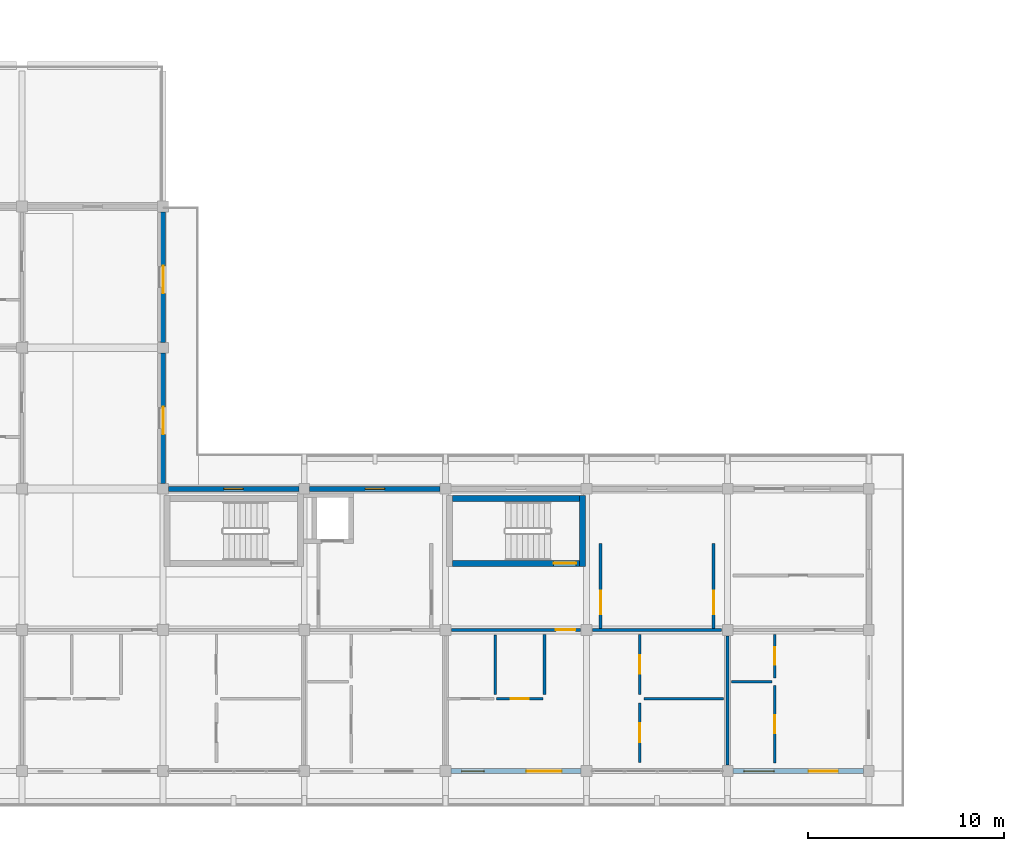
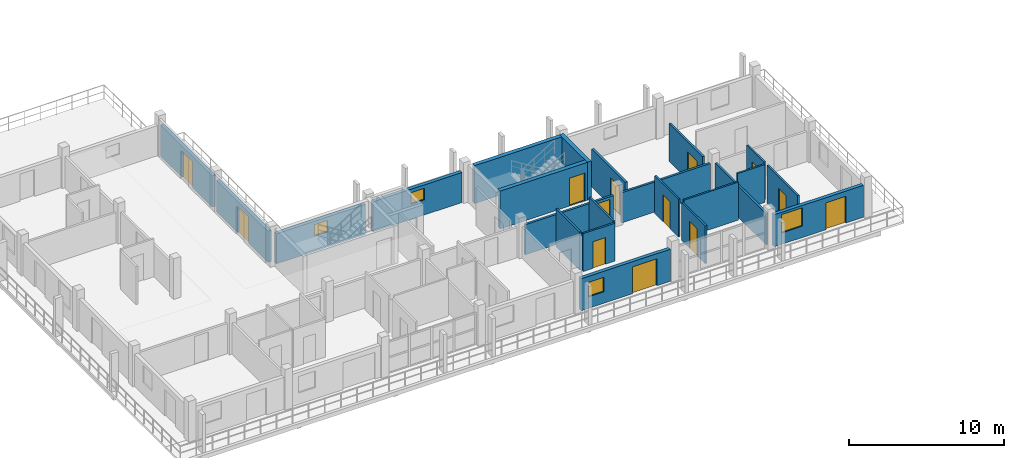
# One storey, part 36 of 67: 23 walls, 13 doors, 4 windows, 17 openings.
"""IFC4 building model written with IfcOpenShell, lengths in metres."""

from ifc_helpers import new_model, si_unit, direction, frame, frame_2d, origin, place, context, subcontext, project, spatial, rectangle, extrude, material, layer, layer_set, type_object, element, fill, save


model = new_model("IFC4")

# Units and contexts
model_context = context("Model", 3, precision=1e-05, world=origin(), true_north=direction((0.0, 1.0)))
body_context = subcontext(model_context, "Body", "Model", "MODEL_VIEW")
ifc_project = project(units=[si_unit("LENGTHUNIT", "METRE"), si_unit("AREAUNIT", "SQUARE_METRE"), si_unit("VOLUMEUNIT", "CUBIC_METRE"), si_unit("PLANEANGLEUNIT", "RADIAN"), si_unit("MASSUNIT", "GRAM", prefix="KILO")], contexts=[model_context])

# Site, building, storey
site_placement = place(None, origin())
site = spatial("IfcSite", under=ifc_project, at=site_placement, CompositionType="ELEMENT")
building_placement = place(site_placement, origin())
building = spatial("IfcBuilding", under=site, at=building_placement, Name="Suanplinth Sawtooth Commons", CompositionType="ELEMENT")
storey_placement = place(building_placement, frame((0.0, 0.0, 25.10009765625)))
storey = spatial("IfcBuildingStorey", under=building, at=storey_placement, Name="L07", CompositionType="ELEMENT", Elevation=25.10009765625)

# Wall, opening, door
ifc_material_1 = material(Name="Concrete C40/50", Category="concrete")
ifc_layer_1 = layer(ifc_material_1, 0.300048828125, Name="Standard RC stair and lift core wall 300mm")
ifc_layer_set_1 = layer_set([ifc_layer_1], Name="Concrete C40/50")
wall_type_1 = type_object("IfcWallType", Name="W-CR02", PredefinedType="SHEAR", material=ifc_layer_set_1)
wall_1_placement = place(storey_placement, frame((29.14990234375, 10.60009765625, 0.0), z_axis=(0.0, 0.0, 1.0), x_axis=(1.0, 0.0, 0.0)))
wall_1 = element("IfcWall", 1, at=wall_1_placement, inside=storey, type_object=wall_type_1, Name="W-L07-C-D2-STS", PredefinedType="SHEAR", context=body_context, shape_type="SweptSolid", body=[
    extrude(rectangle(XDim=6.5, YDim=0.300048828125, at=frame_2d((3.25, 0.0))), origin(), (0.0, 0.0, 1.0), 2.989990234375),
])
opening_1_placement = place(wall_1_placement, frame((5.169921875, 0.0, 0.0)))
opening_1 = element("IfcOpeningElement", 2, at=opening_1_placement, cuts=wall_1, Name="Opening FD0421", PredefinedType="OPENING", context=body_context, shape_type="SweptSolid", body=[
    extrude(rectangle(XDim=1.14990234375, YDim=2.199951171875, at=frame_2d((0.574951171875, 1.10009765625))), frame((0.0, 0.1650390625, 0.0), z_axis=(0.0, -1.0, 0.0), x_axis=(1.0, 0.0, 0.0)), (0.0, 0.0, 1.0), 0.329833984375),
])
ifc_material_2 = material(Name="Teak hardwood fire-rated door assembly", Category="wood")
door_type_1 = type_object("IfcDoorType", Name="FD-01", OperationType="NOTDEFINED", PredefinedType="DOOR", material=ifc_material_2)
door_1_placement = place(opening_1_placement, origin())
door_1 = element("IfcDoor", 3, at=door_1_placement, inside=storey, type_object=door_type_1, Name="Exit Stair Fire Door FD0421", OperationType="SINGLE_SWING_RIGHT", OverallHeight=2.199951171875, OverallWidth=1.14990234375, PredefinedType="DOOR", context=body_context, shape_type="SweptSolid", body=[
    extrude(rectangle(XDim=1.14990234375, YDim=2.199951171875, at=frame_2d((0.574951171875, 1.10009765625))), frame((0.0, 0.02490234375, 0.0), z_axis=(0.0, -1.0, 0.0), x_axis=(1.0, 0.0, 0.0)), (0.0, 0.0, 1.0), 0.050048828125),
])
fill(opening_1, door_1)

# Walls
wall_2_placement = place(storey_placement, frame((29.14990234375, 13.89990234375, 0.0), z_axis=(0.0, 0.0, 1.0), x_axis=(1.0, 0.0, 0.0)))
element("IfcWall", 4, at=wall_2_placement, inside=storey, type_object=wall_type_1, Name="W-L07-C-D2-STN", PredefinedType="SHEAR", context=body_context, shape_type="SweptSolid", body=[
    extrude(rectangle(XDim=6.5, YDim=0.300048828125, at=frame_2d((3.25, 0.0))), origin(), (0.0, 0.0, 1.0), 2.989990234375),
])
wall_3_placement = place(storey_placement, frame((35.800048828125, 10.449951171875, 0.0), z_axis=(0.0, 0.0, 1.0), x_axis=(0.0, 1.0, 0.0)))
element("IfcWall", 5, at=wall_3_placement, inside=storey, type_object=wall_type_1, Name="W-L07-C-D2-STE", PredefinedType="SHEAR", context=body_context, shape_type="SweptSolid", body=[
    extrude(rectangle(XDim=3.60009765625, YDim=0.300048828125, at=frame_2d((1.800048828125, 0.0))), origin(), (0.0, 0.0, 1.0), 2.989990234375),
])

# Wall, opening, door
ifc_material_3 = material(Name="Precast concrete C40/50", Category="concrete")
ifc_layer_2 = layer(ifc_material_3, 0.260009765625, Name="Insulated precast courtyard facade wall 260mm")
ifc_layer_set_2 = layer_set([ifc_layer_2], Name="Precast concrete C40/50")
wall_type_2 = type_object("IfcWallType", Name="W-EX02", PredefinedType="ELEMENTEDWALL", material=ifc_layer_set_2)
wall_4_placement = place(storey_placement, frame((14.39990234375, 14.675048828125, 0.0), z_axis=(0.0, 0.0, 1.0), x_axis=(0.0, 1.0, 0.0)))
wall_4 = element("IfcWall", 6, at=wall_4_placement, inside=storey, type_object=wall_type_2, Name="Facade Wall W-L07-D-E-1-2", PredefinedType="ELEMENTEDWALL", context=body_context, shape_type="SweptSolid", body=[
    extrude(rectangle(XDim=6.64990234375, YDim=0.260009765625, at=frame_2d((3.324951171875, 0.0))), origin(), (0.0, 0.0, 1.0), 2.474853515625),
])
opening_2_placement = place(wall_4_placement, frame((2.5, 0.0, 0.0)))
opening_2 = element("IfcOpeningElement", 7, at=opening_2_placement, cuts=wall_4, Name="Opening ED0616", PredefinedType="OPENING", context=body_context, shape_type="SweptSolid", body=[
    extrude(rectangle(XDim=1.39990234375, YDim=2.10009765625, at=frame_2d((0.699951171875, 1.050048828125))), frame((0.0, 0.14501953125, 0.0), z_axis=(0.0, -1.0, 0.0), x_axis=(1.0, 0.0, 0.0)), (0.0, 0.0, 1.0), 0.289794921875),
])
ifc_material_4 = material(Name="Anodized aluminium and low-E glass", Category="aluminium")
door_type_2 = type_object("IfcDoorType", Name="SD-07", OperationType="SLIDING_TO_RIGHT", PredefinedType="DOOR", material=ifc_material_4)
door_2_placement = place(opening_2_placement, frame((1.39990234375, 0.0, 0.0), z_axis=(0.0, 0.0, 1.0), x_axis=(-1.0, 0.0, 0.0)))
door_2 = element("IfcDoor", 8, at=door_2_placement, inside=storey, type_object=door_type_2, Name="Courtyard Veranda Studio Balcony Door L07-D-2", OperationType="SLIDING_TO_RIGHT", OverallHeight=2.10009765625, OverallWidth=1.39990234375, PredefinedType="DOOR", context=body_context, shape_type="SweptSolid", body=[
    extrude(rectangle(XDim=1.39990234375, YDim=2.10009765625, at=frame_2d((0.699951171875, 1.050048828125))), frame((0.0, 0.02490234375, 0.0), z_axis=(0.0, -1.0, 0.0), x_axis=(1.0, 0.0, 0.0)), (0.0, 0.0, 1.0), 0.050048828125),
])
fill(opening_2, door_2)

wall_5_placement = place(storey_placement, frame((14.39990234375, 21.875, 0.0), z_axis=(0.0, 0.0, 1.0), x_axis=(0.0, 1.0, 0.0)))
wall_5 = element("IfcWall", 9, at=wall_5_placement, inside=storey, type_object=wall_type_2, Name="Facade Wall W-L07-D-E-1-3", PredefinedType="ELEMENTEDWALL", context=body_context, shape_type="SweptSolid", body=[
    extrude(rectangle(XDim=6.64990234375, YDim=0.260009765625, at=frame_2d((3.324951171875, 0.0))), origin(), (0.0, 0.0, 1.0), 2.474853515625),
])
opening_3_placement = place(wall_5_placement, frame((2.5, 0.0, 0.0)))
opening_3 = element("IfcOpeningElement", 10, at=opening_3_placement, cuts=wall_5, Name="Opening ED0617", PredefinedType="OPENING", context=body_context, shape_type="SweptSolid", body=[
    extrude(rectangle(XDim=1.39990234375, YDim=2.10009765625, at=frame_2d((0.699951171875, 1.050048828125))), frame((0.0, 0.14501953125, 0.0), z_axis=(0.0, -1.0, 0.0), x_axis=(1.0, 0.0, 0.0)), (0.0, 0.0, 1.0), 0.289794921875),
])
door_3_placement = place(opening_3_placement, frame((1.39990234375, 0.0, 0.0), z_axis=(0.0, 0.0, 1.0), x_axis=(-1.0, 0.0, 0.0)))
door_3 = element("IfcDoor", 11, at=door_3_placement, inside=storey, type_object=door_type_2, Name="Courtyard Veranda Studio Balcony Door L07-D-3", OperationType="SLIDING_TO_RIGHT", OverallHeight=2.10009765625, OverallWidth=1.39990234375, PredefinedType="DOOR", context=body_context, shape_type="SweptSolid", body=[
    extrude(rectangle(XDim=1.39990234375, YDim=2.10009765625, at=frame_2d((0.699951171875, 1.050048828125))), frame((0.0, 0.02490234375, 0.0), z_axis=(0.0, -1.0, 0.0), x_axis=(1.0, 0.0, 0.0)), (0.0, 0.0, 1.0), 0.050048828125),
])
fill(opening_3, door_3)

# Wall, opening, window
wall_6_placement = place(storey_placement, frame((14.675048828125, 14.39990234375, 0.0), z_axis=(0.0, 0.0, 1.0), x_axis=(1.0, 0.0, 0.0)))
wall_6 = element("IfcWall", 12, at=wall_6_placement, inside=storey, type_object=wall_type_2, Name="Facade Wall W-L07-D-N-2-1", PredefinedType="ELEMENTEDWALL", context=body_context, shape_type="SweptSolid", body=[
    extrude(rectangle(XDim=6.64990234375, YDim=0.260009765625, at=frame_2d((3.324951171875, 0.0))), origin(), (0.0, 0.0, 1.0), 2.375),
])
opening_4_placement = place(wall_6_placement, frame((2.824951171875, 0.0, 1.199951171875)))
opening_4 = element("IfcOpeningElement", 13, at=opening_4_placement, cuts=wall_6, Name="Opening W0696", PredefinedType="OPENING", context=body_context, shape_type="SweptSolid", body=[
    extrude(rectangle(XDim=1.0, YDim=0.89990234375, at=frame_2d((0.5, 0.449951171875))), frame((0.0, 0.14501953125, 0.0), z_axis=(0.0, -1.0, 0.0), x_axis=(1.0, 0.0, 0.0)), (0.0, 0.0, 1.0), 0.289794921875),
])
ifc_material_5 = material(Name="Thermally broken aluminium and low-E double glazing", Category="aluminium")
window_type_1 = type_object("IfcWindowType", Name="WN-12", PartitioningType="SINGLE_PANEL", PredefinedType="WINDOW", material=ifc_material_5)
window_1_placement = place(opening_4_placement, origin())
window_1 = element("IfcWindow", 14, at=window_1_placement, inside=storey, type_object=window_type_1, Name="Core Daylight Window L07-D-2-1", OverallHeight=0.89990234375, OverallWidth=1.0, PartitioningType="SINGLE_PANEL", PredefinedType="WINDOW", context=body_context, shape_type="SweptSolid", body=[
    extrude(rectangle(XDim=1.0, YDim=0.89990234375, at=frame_2d((0.5, 0.449951171875))), frame((0.0, 0.030029296875, 0.0), z_axis=(0.0, -1.0, 0.0), x_axis=(1.0, 0.0, 0.0)), (0.0, 0.0, 1.0), 0.06005859375),
])
fill(opening_4, window_1)

wall_7_placement = place(storey_placement, frame((21.875, 14.39990234375, 0.0), z_axis=(0.0, 0.0, 1.0), x_axis=(1.0, 0.0, 0.0)))
wall_7 = element("IfcWall", 15, at=wall_7_placement, inside=storey, type_object=wall_type_2, Name="Facade Wall W-L07-D-N-3-1", PredefinedType="ELEMENTEDWALL", context=body_context, shape_type="SweptSolid", body=[
    extrude(rectangle(XDim=6.64990234375, YDim=0.260009765625, at=frame_2d((3.324951171875, 0.0))), origin(), (0.0, 0.0, 1.0), 2.375),
])
opening_5_placement = place(wall_7_placement, frame((2.824951171875, 0.0, 1.199951171875)))
opening_5 = element("IfcOpeningElement", 16, at=opening_5_placement, cuts=wall_7, Name="Opening W0698", PredefinedType="OPENING", context=body_context, shape_type="SweptSolid", body=[
    extrude(rectangle(XDim=1.0, YDim=0.89990234375, at=frame_2d((0.5, 0.449951171875))), frame((0.0, 0.14501953125, 0.0), z_axis=(0.0, -1.0, 0.0), x_axis=(1.0, 0.0, 0.0)), (0.0, 0.0, 1.0), 0.289794921875),
])
window_2_placement = place(opening_5_placement, origin())
window_2 = element("IfcWindow", 17, at=window_2_placement, inside=storey, type_object=window_type_1, Name="Core Daylight Window L07-D-3-1", OverallHeight=0.89990234375, OverallWidth=1.0, PartitioningType="SINGLE_PANEL", PredefinedType="WINDOW", context=body_context, shape_type="SweptSolid", body=[
    extrude(rectangle(XDim=1.0, YDim=0.89990234375, at=frame_2d((0.5, 0.449951171875))), frame((0.0, 0.030029296875, 0.0), z_axis=(0.0, -1.0, 0.0), x_axis=(1.0, 0.0, 0.0)), (0.0, 0.0, 1.0), 0.06005859375),
])
fill(opening_5, window_2)

# Wall, openings, door, window
wall_8_placement = place(storey_placement, frame((29.074951171875, 0.0, 0.0), z_axis=(0.0, 0.0, 1.0), x_axis=(1.0, 0.0, 0.0)))
wall_8 = element("IfcWall", 18, at=wall_8_placement, inside=storey, type_object=wall_type_2, Name="Facade Wall W-L07-D-S-4-0", PredefinedType="ELEMENTEDWALL", context=body_context, shape_type="SweptSolid", body=[
    extrude(rectangle(XDim=6.650146484375, YDim=0.260009765625, at=frame_2d((3.3251953125, 0.0))), origin(), (0.0, 0.0, 1.0), 2.52490234375),
])
opening_6_placement = place(wall_8_placement, frame((3.85009765625, 0.0, 0.0)))
opening_6 = element("IfcOpeningElement", 19, at=opening_6_placement, cuts=wall_8, Name="Opening ED0619", PredefinedType="OPENING", context=body_context, shape_type="SweptSolid", body=[
    extrude(rectangle(XDim=1.800048828125, YDim=2.1201171875, at=frame_2d((0.89990234375, 1.06005859375))), frame((0.0, 0.14501953125, 0.0), z_axis=(0.0, -1.0, 0.0), x_axis=(1.0, 0.0, 0.0)), (0.0, 0.0, 1.0), 0.289794921875),
])
opening_7_placement = place(wall_8_placement, frame((0.550048828125, 0.0, 0.89990234375)))
opening_7 = element("IfcOpeningElement", 20, at=opening_7_placement, cuts=wall_8, Name="Opening W0699", PredefinedType="OPENING", context=body_context, shape_type="SweptSolid", body=[
    extrude(rectangle(XDim=1.14990234375, YDim=1.14990234375, at=frame_2d((0.574951171875, 0.574951171875))), frame((0.0, 0.14501953125, 0.0), z_axis=(0.0, -1.0, 0.0), x_axis=(1.0, 0.0, 0.0)), (0.0, 0.0, 1.0), 0.289794921875),
])
door_type_3 = type_object("IfcDoorType", Name="SD-01", OperationType="SLIDING_TO_LEFT", PredefinedType="DOOR", material=ifc_material_4)
door_4_placement = place(opening_6_placement, frame((1.800048828125, 0.0, 0.0), z_axis=(0.0, 0.0, 1.0), x_axis=(-1.0, 0.0, 0.0)))
door_4 = element("IfcDoor", 21, at=door_4_placement, inside=storey, type_object=door_type_3, Name="Balcony Sliding Door L07-D-4", OperationType="SLIDING_TO_LEFT", OverallHeight=2.1201171875, OverallWidth=1.800048828125, PredefinedType="DOOR", context=body_context, shape_type="SweptSolid", body=[
    extrude(rectangle(XDim=1.800048828125, YDim=2.1201171875, at=frame_2d((0.89990234375, 1.06005859375))), frame((0.0, 0.02490234375, 0.0), z_axis=(0.0, -1.0, 0.0), x_axis=(1.0, 0.0, 0.0)), (0.0, 0.0, 1.0), 0.050048828125),
])
fill(opening_6, door_4)
window_type_2 = type_object("IfcWindowType", Name="WN-20", PartitioningType="SINGLE_PANEL", PredefinedType="WINDOW", material=ifc_material_5)
window_3_placement = place(opening_7_placement, origin())
window_3 = element("IfcWindow", 22, at=window_3_placement, inside=storey, type_object=window_type_2, Name="Apartment Window L07-D-4", OverallHeight=1.14990234375, OverallWidth=1.14990234375, PartitioningType="SINGLE_PANEL", PredefinedType="WINDOW", context=body_context, shape_type="SweptSolid", body=[
    extrude(rectangle(XDim=1.14990234375, YDim=1.14990234375, at=frame_2d((0.574951171875, 0.574951171875))), frame((0.0, 0.030029296875, 0.0), z_axis=(0.0, -1.0, 0.0), x_axis=(1.0, 0.0, 0.0)), (0.0, 0.0, 1.0), 0.06005859375),
])
fill(opening_7, window_3)

wall_9_placement = place(storey_placement, frame((43.47509765625, 0.0, 0.0), z_axis=(0.0, 0.0, 1.0), x_axis=(1.0, 0.0, 0.0)))
wall_9 = element("IfcWall", 23, at=wall_9_placement, inside=storey, type_object=wall_type_2, Name="Facade Wall W-L07-D-S-6-0", PredefinedType="ELEMENTEDWALL", context=body_context, shape_type="SweptSolid", body=[
    extrude(rectangle(XDim=6.64990234375, YDim=0.260009765625, at=frame_2d((3.324951171875, 0.0))), origin(), (0.0, 0.0, 1.0), 2.52490234375),
])
opening_8_placement = place(wall_9_placement, frame((3.85009765625, 0.0, 0.0)))
opening_8 = element("IfcOpeningElement", 24, at=opening_8_placement, cuts=wall_9, Name="Opening ED0620", PredefinedType="OPENING", context=body_context, shape_type="SweptSolid", body=[
    extrude(rectangle(XDim=1.5, YDim=2.1201171875, at=frame_2d((0.75, 1.06005859375))), frame((0.0, 0.14501953125, 0.0), z_axis=(0.0, -1.0, 0.0), x_axis=(1.0, 0.0, 0.0)), (0.0, 0.0, 1.0), 0.289794921875),
])
opening_9_placement = place(wall_9_placement, frame((0.550048828125, 0.0, 0.89990234375)))
opening_9 = element("IfcOpeningElement", 25, at=opening_9_placement, cuts=wall_9, Name="Opening W0702", PredefinedType="OPENING", context=body_context, shape_type="SweptSolid", body=[
    extrude(rectangle(XDim=1.550048828125, YDim=1.449951171875, at=frame_2d((0.77490234375, 0.72509765625))), frame((0.0, 0.14501953125, 0.0), z_axis=(0.0, -1.0, 0.0), x_axis=(1.0, 0.0, 0.0)), (0.0, 0.0, 1.0), 0.289794921875),
])
door_type_4 = type_object("IfcDoorType", Name="SD-03", OperationType="SLIDING_TO_LEFT", PredefinedType="DOOR", material=ifc_material_4)
door_5_placement = place(opening_8_placement, frame((1.5, 0.0, 0.0), z_axis=(0.0, 0.0, 1.0), x_axis=(-1.0, 0.0, 0.0)))
door_5 = element("IfcDoor", 26, at=door_5_placement, inside=storey, type_object=door_type_4, Name="Balcony Sliding Door L07-D-6", OperationType="SLIDING_TO_LEFT", OverallHeight=2.1201171875, OverallWidth=1.5, PredefinedType="DOOR", context=body_context, shape_type="SweptSolid", body=[
    extrude(rectangle(XDim=1.5, YDim=2.1201171875, at=frame_2d((0.75, 1.06005859375))), frame((0.0, 0.02490234375, 0.0), z_axis=(0.0, -1.0, 0.0), x_axis=(1.0, 0.0, 0.0)), (0.0, 0.0, 1.0), 0.050048828125),
])
fill(opening_8, door_5)
window_type_3 = type_object("IfcWindowType", Name="WN-22", PartitioningType="DOUBLE_PANEL_VERTICAL", PredefinedType="WINDOW", material=ifc_material_5)
window_4_placement = place(opening_9_placement, origin())
window_4 = element("IfcWindow", 27, at=window_4_placement, inside=storey, type_object=window_type_3, Name="Apartment Window L07-D-6", OverallHeight=1.449951171875, OverallWidth=1.550048828125, PartitioningType="DOUBLE_PANEL_VERTICAL", PredefinedType="WINDOW", context=body_context, shape_type="SweptSolid", body=[
    extrude(rectangle(XDim=1.550048828125, YDim=1.449951171875, at=frame_2d((0.77490234375, 0.72509765625))), frame((0.0, 0.030029296875, 0.0), z_axis=(0.0, -1.0, 0.0), x_axis=(1.0, 0.0, 0.0)), (0.0, 0.0, 1.0), 0.06005859375),
])
fill(opening_9, window_4)

# Wall, opening, door
ifc_layer_3 = layer(ifc_material_3, 0.159912109375, Name="Fire-rated corridor and lobby wall 160mm")
ifc_layer_set_3 = layer_set([ifc_layer_3], Name="Precast concrete C40/50")
wall_type_3 = type_object("IfcWallType", Name="W-FW01", PredefinedType="PARTITIONING", material=ifc_layer_set_3)
wall_10_placement = place(storey_placement, frame((36.719970703125, 7.280029296875, 0.0), z_axis=(0.0, 0.0, 1.0), x_axis=(0.0, 1.0, 0.0)))
wall_10 = element("IfcWall", 28, at=wall_10_placement, inside=storey, type_object=wall_type_3, Name="W-L07-C-D2-LOB-W", PredefinedType="PARTITIONING", context=body_context, shape_type="SweptSolid", body=[
    extrude(rectangle(XDim=4.320068359375, YDim=0.159912109375, at=frame_2d((2.16015625, 0.0))), origin(), (0.0, 0.0, 1.0), 2.989990234375),
])
opening_10_placement = place(wall_10_placement, frame((0.719970703125, 0.0, 0.0)))
opening_10 = element("IfcOpeningElement", 29, at=opening_10_placement, cuts=wall_10, Name="Opening FD0422", PredefinedType="OPENING", context=body_context, shape_type="SweptSolid", body=[
    extrude(rectangle(XDim=1.199951171875, YDim=2.199951171875, at=frame_2d((0.60009765625, 1.10009765625))), frame((0.0, 0.0947265625, 0.0), z_axis=(0.0, -1.0, 0.0), x_axis=(1.0, 0.0, 0.0)), (0.0, 0.0, 1.0), 0.189697265625),
])
door_type_5 = type_object("IfcDoorType", Name="FD-02", OperationType="NOTDEFINED", PredefinedType="DOOR", material=ifc_material_2)
door_6_placement = place(opening_10_placement, origin())
door_6 = element("IfcDoor", 30, at=door_6_placement, inside=storey, type_object=door_type_5, Name="Lobby Fire Door FD0422", OperationType="SINGLE_SWING_LEFT", OverallHeight=2.199951171875, OverallWidth=1.199951171875, PredefinedType="DOOR", context=body_context, shape_type="SweptSolid", body=[
    extrude(rectangle(XDim=1.199951171875, YDim=2.199951171875, at=frame_2d((0.60009765625, 1.10009765625))), frame((0.0, 0.02490234375, 0.0), z_axis=(0.0, -1.0, 0.0), x_axis=(1.0, 0.0, 0.0)), (0.0, 0.0, 1.0), 0.050048828125),
])
fill(opening_10, door_6)

wall_11_placement = place(storey_placement, frame((42.47998046875, 7.280029296875, 0.0), z_axis=(0.0, 0.0, 1.0), x_axis=(0.0, 1.0, 0.0)))
wall_11 = element("IfcWall", 31, at=wall_11_placement, inside=storey, type_object=wall_type_3, Name="W-L07-C-D2-LOB-E", PredefinedType="PARTITIONING", context=body_context, shape_type="SweptSolid", body=[
    extrude(rectangle(XDim=4.320068359375, YDim=0.159912109375, at=frame_2d((2.16015625, 0.0))), origin(), (0.0, 0.0, 1.0), 2.989990234375),
])
opening_11_placement = place(wall_11_placement, frame((0.719970703125, 0.0, 0.0)))
opening_11 = element("IfcOpeningElement", 32, at=opening_11_placement, cuts=wall_11, Name="Opening FD0423", PredefinedType="OPENING", context=body_context, shape_type="SweptSolid", body=[
    extrude(rectangle(XDim=1.199951171875, YDim=2.199951171875, at=frame_2d((0.60009765625, 1.10009765625))), frame((0.0, 0.0947265625, 0.0), z_axis=(0.0, -1.0, 0.0), x_axis=(1.0, 0.0, 0.0)), (0.0, 0.0, 1.0), 0.189697265625),
])
door_7_placement = place(opening_11_placement, frame((1.199951171875, 0.0, 0.0), z_axis=(0.0, 0.0, 1.0), x_axis=(-1.0, 0.0, 0.0)))
door_7 = element("IfcDoor", 33, at=door_7_placement, inside=storey, type_object=door_type_5, Name="Lobby Fire Door FD0423", OperationType="SINGLE_SWING_RIGHT", OverallHeight=2.199951171875, OverallWidth=1.199951171875, PredefinedType="DOOR", context=body_context, shape_type="SweptSolid", body=[
    extrude(rectangle(XDim=1.199951171875, YDim=2.199951171875, at=frame_2d((0.60009765625, 1.10009765625))), frame((0.0, 0.02490234375, 0.0), z_axis=(0.0, -1.0, 0.0), x_axis=(1.0, 0.0, 0.0)), (0.0, 0.0, 1.0), 0.050048828125),
])
fill(opening_11, door_7)

wall_12_placement = place(storey_placement, frame((29.10498046875, 7.199951171875, 0.0), z_axis=(0.0, 0.0, 1.0), x_axis=(1.0, 0.0, 0.0)))
wall_12 = element("IfcWall", 34, at=wall_12_placement, inside=storey, type_object=wall_type_3, Name="W-D-L07-U04-COR-S1", PredefinedType="PARTITIONING", context=body_context, shape_type="SweptSolid", body=[
    extrude(rectangle(XDim=6.590087890625, YDim=0.159912109375, at=frame_2d((3.294921875, 0.0))), origin(), (0.0, 0.0, 1.0), 2.375),
])
opening_12_placement = place(wall_12_placement, frame((5.324951171875, 0.0, 0.0)))
opening_12 = element("IfcOpeningElement", 35, at=opening_12_placement, cuts=wall_12, Name="Opening FD1613", PredefinedType="OPENING", context=body_context, shape_type="SweptSolid", body=[
    extrude(rectangle(XDim=1.0, YDim=2.14990234375, at=frame_2d((0.5, 1.074951171875))), frame((0.0, 0.0947265625, 0.0), z_axis=(0.0, -1.0, 0.0), x_axis=(1.0, 0.0, 0.0)), (0.0, 0.0, 1.0), 0.189697265625),
])
door_type_6 = type_object("IfcDoorType", Name="FD-03", OperationType="NOTDEFINED", PredefinedType="DOOR", material=ifc_material_2)
door_8_placement = place(opening_12_placement, frame((1.0, 0.0, 0.0), z_axis=(0.0, 0.0, 1.0), x_axis=(-1.0, 0.0, 0.0)))
door_8 = element("IfcDoor", 36, at=door_8_placement, inside=storey, type_object=door_type_6, Name="Unit Entrance Door FD1613", OperationType="SINGLE_SWING_LEFT", OverallHeight=2.14990234375, OverallWidth=1.0, PredefinedType="DOOR", context=body_context, shape_type="SweptSolid", body=[
    extrude(rectangle(XDim=1.0, YDim=2.14990234375, at=frame_2d((0.5, 1.074951171875))), frame((0.0, 0.02490234375, 0.0), z_axis=(0.0, -1.0, 0.0), x_axis=(1.0, 0.0, 0.0)), (0.0, 0.0, 1.0), 0.050048828125),
])
fill(opening_12, door_8)

# Walls
wall_13_placement = place(storey_placement, frame((36.304931640625, 7.199951171875, 0.0), z_axis=(0.0, 0.0, 1.0), x_axis=(1.0, 0.0, 0.0)))
element("IfcWall", 37, at=wall_13_placement, inside=storey, type_object=wall_type_3, Name="W-D-L07-U04-COR-S2", PredefinedType="PARTITIONING", context=body_context, shape_type="SweptSolid", body=[
    extrude(rectangle(XDim=6.590087890625, YDim=0.159912109375, at=frame_2d((3.294921875, 0.0))), origin(), (0.0, 0.0, 1.0), 2.375),
])
ifc_layer_4 = layer(ifc_material_3, 0.14990234375, Name="Acoustic precast party demising wall 150mm")
ifc_layer_set_4 = layer_set([ifc_layer_4], Name="Precast concrete C40/50")
wall_type_4 = type_object("IfcWallType", Name="W-FW02", PredefinedType="PARTITIONING", material=ifc_layer_set_4)
wall_14_placement = place(storey_placement, frame((43.199951171875, 0.304931640625, 0.0), z_axis=(0.0, 0.0, 1.0), x_axis=(0.0, 1.0, 0.0)))
element("IfcWall", 38, at=wall_14_placement, inside=storey, type_object=wall_type_4, Name="W-D-L07-U04-PTY", PredefinedType="PARTITIONING", context=body_context, shape_type="SweptSolid", body=[
    extrude(rectangle(XDim=6.590087890625, YDim=0.14990234375, at=frame_2d((3.294921875, 0.0))), origin(), (0.0, 0.0, 1.0), 2.474853515625),
])

# Wall, opening, door
ifc_material_6 = material(Name="Gypsum plasterboard on steel stud", Category="steel")
ifc_layer_5 = layer(ifc_material_6, 0.139892578125, Name="Fire-rated kitchen partition 140mm")
ifc_layer_set_5 = layer_set([ifc_layer_5], Name="Gypsum plasterboard on steel stud")
wall_type_5 = type_object("IfcWallType", Name="W-PT01", PredefinedType="PARTITIONING", material=ifc_layer_set_5)
wall_15_placement = place(storey_placement, frame((31.39990234375, 3.68994140625, 0.0), z_axis=(0.0, 0.0, 1.0), x_axis=(1.0, 0.0, 0.0)))
wall_15 = element("IfcWall", 39, at=wall_15_placement, inside=storey, type_object=wall_type_5, Name="W-D-L07-U04-KIT1", PredefinedType="PARTITIONING", context=body_context, shape_type="SweptSolid", body=[
    extrude(rectangle(XDim=2.380126953125, YDim=0.139892578125, at=frame_2d((1.18994140625, 0.0))), origin(), (0.0, 0.0, 1.0), 2.989990234375),
])
opening_13_placement = place(wall_15_placement, frame((0.72998046875, 0.0, 0.0)))
opening_13 = element("IfcOpeningElement", 40, at=opening_13_placement, cuts=wall_15, Name="Opening D1615", PredefinedType="OPENING", context=body_context, shape_type="SweptSolid", body=[
    extrude(rectangle(XDim=0.919921875, YDim=2.10009765625, at=frame_2d((0.4599609375, 1.050048828125))), frame((0.0, 0.0849609375, 0.0), z_axis=(0.0, -1.0, 0.0), x_axis=(1.0, 0.0, 0.0)), (0.0, 0.0, 1.0), 0.169677734375),
])
ifc_material_7 = material(Name="Teak hardwood", Category="wood")
door_type_7 = type_object("IfcDoorType", Name="D-02", OperationType="NOTDEFINED", PredefinedType="DOOR", material=ifc_material_7)
door_9_placement = place(opening_13_placement, origin())
door_9 = element("IfcDoor", 41, at=door_9_placement, inside=storey, type_object=door_type_7, Name="Kitchen Door D1615", OperationType="SINGLE_SWING_LEFT", OverallHeight=2.10009765625, OverallWidth=0.919921875, PredefinedType="DOOR", context=body_context, shape_type="SweptSolid", body=[
    extrude(rectangle(XDim=0.919921875, YDim=2.10009765625, at=frame_2d((0.4599609375, 1.050048828125))), frame((0.0, 0.02490234375, 0.0), z_axis=(0.0, -1.0, 0.0), x_axis=(1.0, 0.0, 0.0)), (0.0, 0.0, 1.0), 0.050048828125),
])
fill(opening_13, door_9)

# Wall
wall_16_placement = place(storey_placement, frame((33.85009765625, 3.909912109375, 0.0), z_axis=(0.0, 0.0, 1.0), x_axis=(0.0, 1.0, 0.0)))
element("IfcWall", 42, at=wall_16_placement, inside=storey, type_object=wall_type_5, Name="W-D-L07-U04-KIT2", PredefinedType="PARTITIONING", context=body_context, shape_type="SweptSolid", body=[
    extrude(rectangle(XDim=3.06005859375, YDim=0.139892578125, at=frame_2d((1.530029296875, 0.0))), origin(), (0.0, 0.0, 1.0), 2.989990234375),
])

# Wall, opening, door
wall_17_placement = place(storey_placement, frame((45.594970703125, 0.419921875, 0.0), z_axis=(0.0, 0.0, 1.0), x_axis=(0.0, 1.0, 0.0)))
wall_17 = element("IfcWall", 43, at=wall_17_placement, inside=storey, type_object=wall_type_5, Name="W-D-L07-U05-KITE", PredefinedType="PARTITIONING", context=body_context, shape_type="SweptSolid", body=[
    extrude(rectangle(XDim=3.940185546875, YDim=0.139892578125, at=frame_2d((1.97021484375, 0.0))), origin(), (0.0, 0.0, 1.0), 2.989990234375),
])
opening_14_placement = place(wall_17_placement, frame((1.510009765625, 0.0, 0.0)))
opening_14 = element("IfcOpeningElement", 44, at=opening_14_placement, cuts=wall_17, Name="Opening D1620", PredefinedType="OPENING", context=body_context, shape_type="SweptSolid", body=[
    extrude(rectangle(XDim=0.919921875, YDim=2.10009765625, at=frame_2d((0.4599609375, 1.050048828125))), frame((0.0, 0.0849609375, 0.0), z_axis=(0.0, -1.0, 0.0), x_axis=(1.0, 0.0, 0.0)), (0.0, 0.0, 1.0), 0.169677734375),
])
door_10_placement = place(opening_14_placement, origin())
door_10 = element("IfcDoor", 45, at=door_10_placement, inside=storey, type_object=door_type_7, Name="Kitchen Door D1620", OperationType="SINGLE_SWING_RIGHT", OverallHeight=2.10009765625, OverallWidth=0.919921875, PredefinedType="DOOR", context=body_context, shape_type="SweptSolid", body=[
    extrude(rectangle(XDim=0.919921875, YDim=2.10009765625, at=frame_2d((0.4599609375, 1.050048828125))), frame((0.0, 0.02490234375, 0.0), z_axis=(0.0, -1.0, 0.0), x_axis=(1.0, 0.0, 0.0)), (0.0, 0.0, 1.0), 0.050048828125),
])
fill(opening_14, door_10)

# Walls
ifc_layer_6 = layer(ifc_material_6, 0.1298828125, Name="Moisture-resistant bathroom partition 130mm")
ifc_layer_set_6 = layer_set([ifc_layer_6], Name="Gypsum plasterboard on steel stud")
wall_type_6 = type_object("IfcWallType", Name="W-PT02", PredefinedType="PARTITIONING", material=ifc_layer_set_6)
wall_18_placement = place(storey_placement, frame((31.344970703125, 3.89990234375, 0.0), z_axis=(0.0, 0.0, 1.0), x_axis=(0.0, 1.0, 0.0)))
element("IfcWall", 46, at=wall_18_placement, inside=storey, type_object=wall_type_6, Name="W-D-L07-U04-BTH2", PredefinedType="PARTITIONING", context=body_context, shape_type="SweptSolid", body=[
    extrude(rectangle(XDim=3.0400390625, YDim=0.1298828125, at=frame_2d((1.52001953125, 0.0))), origin(), (0.0, 0.0, 1.0), 2.989990234375),
])
wall_19_placement = place(storey_placement, frame((43.39990234375, 4.56005859375, 0.0), z_axis=(0.0, 0.0, 1.0), x_axis=(1.0, 0.0, 0.0)))
element("IfcWall", 47, at=wall_19_placement, inside=storey, type_object=wall_type_6, Name="W-D-L07-U05-STDIV", PredefinedType="PARTITIONING", context=body_context, shape_type="SweptSolid", body=[
    extrude(rectangle(XDim=2.050048828125, YDim=0.1298828125, at=frame_2d((1.02490234375, 0.0))), origin(), (0.0, 0.0, 1.0), 2.989990234375),
])

# Wall, opening, door
wall_20_placement = place(storey_placement, frame((45.594970703125, 4.760009765625, 0.0), z_axis=(0.0, 0.0, 1.0), x_axis=(0.0, 1.0, 0.0)))
wall_20 = element("IfcWall", 48, at=wall_20_placement, inside=storey, type_object=wall_type_6, Name="W-D-L07-U05-BTHE", PredefinedType="PARTITIONING", context=body_context, shape_type="SweptSolid", body=[
    extrude(rectangle(XDim=2.219970703125, YDim=0.1298828125, at=frame_2d((1.10986328125, 0.0))), origin(), (0.0, 0.0, 1.0), 2.989990234375),
])
opening_15_placement = place(wall_20_placement, frame((0.669921875, 0.0, 0.0)))
opening_15 = element("IfcOpeningElement", 49, at=opening_15_placement, cuts=wall_20, Name="Opening D1619", PredefinedType="OPENING", context=body_context, shape_type="SweptSolid", body=[
    extrude(rectangle(XDim=0.8798828125, YDim=2.10009765625, at=frame_2d((0.43994140625, 1.050048828125))), frame((0.0, 0.079833984375, 0.0), z_axis=(0.0, -1.0, 0.0), x_axis=(1.0, 0.0, 0.0)), (0.0, 0.0, 1.0), 0.15966796875),
])
door_type_8 = type_object("IfcDoorType", Name="D-14", OperationType="NOTDEFINED", PredefinedType="DOOR", material=ifc_material_7)
door_11_placement = place(opening_15_placement, origin())
door_11 = element("IfcDoor", 50, at=door_11_placement, inside=storey, type_object=door_type_8, Name="Bathroom Door D1619", OperationType="SINGLE_SWING_LEFT", OverallHeight=2.10009765625, OverallWidth=0.8798828125, PredefinedType="DOOR", context=body_context, shape_type="SweptSolid", body=[
    extrude(rectangle(XDim=0.8798828125, YDim=2.10009765625, at=frame_2d((0.43994140625, 1.050048828125))), frame((0.0, 0.02490234375, 0.0), z_axis=(0.0, -1.0, 0.0), x_axis=(1.0, 0.0, 0.0)), (0.0, 0.0, 1.0), 0.050048828125),
])
fill(opening_15, door_11)

ifc_layer_7 = layer(ifc_material_6, 0.1201171875, Name="Acoustic bedroom partition 120mm")
ifc_layer_set_7 = layer_set([ifc_layer_7], Name="Gypsum plasterboard on steel stud")
wall_type_7 = type_object("IfcWallType", Name="W-PT03", PredefinedType="PARTITIONING", material=ifc_layer_set_7)
wall_21_placement = place(storey_placement, frame((38.719970703125, 3.919921875, 0.0), z_axis=(0.0, 0.0, 1.0), x_axis=(0.0, 1.0, 0.0)))
wall_21 = element("IfcWall", 51, at=wall_21_placement, inside=storey, type_object=wall_type_7, Name="W-D-L07-U04-BED2", PredefinedType="PARTITIONING", context=body_context, shape_type="SweptSolid", body=[
    extrude(rectangle(XDim=3.0400390625, YDim=0.1201171875, at=frame_2d((1.52001953125, 0.0))), origin(), (0.0, 0.0, 1.0), 2.989990234375),
])
opening_16_placement = place(wall_21_placement, frame((1.0400390625, 0.0, 0.0)))
opening_16 = element("IfcOpeningElement", 52, at=opening_16_placement, cuts=wall_21, Name="Opening D1617", PredefinedType="OPENING", context=body_context, shape_type="SweptSolid", body=[
    extrude(rectangle(XDim=0.9599609375, YDim=2.14990234375, at=frame_2d((0.47998046875, 1.074951171875))), frame((0.0, 0.074951171875, 0.0), z_axis=(0.0, -1.0, 0.0), x_axis=(1.0, 0.0, 0.0)), (0.0, 0.0, 1.0), 0.14990234375),
])
door_type_9 = type_object("IfcDoorType", Name="D-13", OperationType="NOTDEFINED", PredefinedType="DOOR", material=ifc_material_7)
door_12_placement = place(opening_16_placement, frame((0.9599609375, 0.0, 0.0), z_axis=(0.0, 0.0, 1.0), x_axis=(-1.0, 0.0, 0.0)))
door_12 = element("IfcDoor", 53, at=door_12_placement, inside=storey, type_object=door_type_9, Name="Second Bedroom Door D1617", OperationType="SINGLE_SWING_LEFT", OverallHeight=2.14990234375, OverallWidth=0.9599609375, PredefinedType="DOOR", context=body_context, shape_type="SweptSolid", body=[
    extrude(rectangle(XDim=0.9599609375, YDim=2.14990234375, at=frame_2d((0.47998046875, 1.074951171875))), frame((0.0, 0.02490234375, 0.0), z_axis=(0.0, -1.0, 0.0), x_axis=(1.0, 0.0, 0.0)), (0.0, 0.0, 1.0), 0.050048828125),
])
fill(opening_16, door_12)

# Wall
ifc_layer_8 = layer(ifc_material_6, 0.125, Name="Acoustic study partition 125mm")
ifc_layer_set_8 = layer_set([ifc_layer_8], Name="Gypsum plasterboard on steel stud")
wall_type_8 = type_object("IfcWallType", Name="W-PT06", PredefinedType="PARTITIONING", material=ifc_layer_set_8)
wall_22_placement = place(storey_placement, frame((38.919921875, 3.699951171875, 0.0), z_axis=(0.0, 0.0, 1.0), x_axis=(1.0, 0.0, 0.0)))
element("IfcWall", 54, at=wall_22_placement, inside=storey, type_object=wall_type_8, Name="W-D-L07-U04-BEDDIV", PredefinedType="PARTITIONING", context=body_context, shape_type="SweptSolid", body=[
    extrude(rectangle(XDim=4.06005859375, YDim=0.125, at=frame_2d((2.030029296875, 0.0))), origin(), (0.0, 0.0, 1.0), 2.989990234375),
])

# Wall, opening, door
ifc_layer_9 = layer(ifc_material_6, 0.135009765625, Name="Insulated bedroom demising partition 135mm")
ifc_layer_set_9 = layer_set([ifc_layer_9], Name="Gypsum plasterboard on steel stud")
wall_type_9 = type_object("IfcWallType", Name="W-PT07", PredefinedType="PARTITIONING", material=ifc_layer_set_9)
wall_23_placement = place(storey_placement, frame((38.719970703125, 0.43994140625, 0.0), z_axis=(0.0, 0.0, 1.0), x_axis=(0.0, 1.0, 0.0)))
wall_23 = element("IfcWall", 55, at=wall_23_placement, inside=storey, type_object=wall_type_9, Name="W-D-L07-U04-BED1", PredefinedType="PARTITIONING", context=body_context, shape_type="SweptSolid", body=[
    extrude(rectangle(XDim=3.0400390625, YDim=0.135009765625, at=frame_2d((1.52001953125, 0.0))), origin(), (0.0, 0.0, 1.0), 2.989990234375),
])
opening_17_placement = place(wall_23_placement, frame((1.044921875, 0.0, 0.0)))
opening_17 = element("IfcOpeningElement", 56, at=opening_17_placement, cuts=wall_23, Name="Opening D1616", PredefinedType="OPENING", context=body_context, shape_type="SweptSolid", body=[
    extrude(rectangle(XDim=0.949951171875, YDim=2.14990234375, at=frame_2d((0.47509765625, 1.074951171875))), frame((0.0, 0.08251953125, 0.0), z_axis=(0.0, -1.0, 0.0), x_axis=(1.0, 0.0, 0.0)), (0.0, 0.0, 1.0), 0.164794921875),
])
door_type_10 = type_object("IfcDoorType", Name="D-03", OperationType="NOTDEFINED", PredefinedType="DOOR", material=ifc_material_7)
door_13_placement = place(opening_17_placement, frame((0.949951171875, 0.0, 0.0), z_axis=(0.0, 0.0, 1.0), x_axis=(-1.0, 0.0, 0.0)))
door_13 = element("IfcDoor", 57, at=door_13_placement, inside=storey, type_object=door_type_10, Name="Bedroom Door D1616", OperationType="SINGLE_SWING_RIGHT", OverallHeight=2.14990234375, OverallWidth=0.949951171875, PredefinedType="DOOR", context=body_context, shape_type="SweptSolid", body=[
    extrude(rectangle(XDim=0.949951171875, YDim=2.14990234375, at=frame_2d((0.47509765625, 1.074951171875))), frame((0.0, 0.02490234375, 0.0), z_axis=(0.0, -1.0, 0.0), x_axis=(1.0, 0.0, 0.0)), (0.0, 0.0, 1.0), 0.050048828125),
])
fill(opening_17, door_13)

save(model, "model.ifc")
